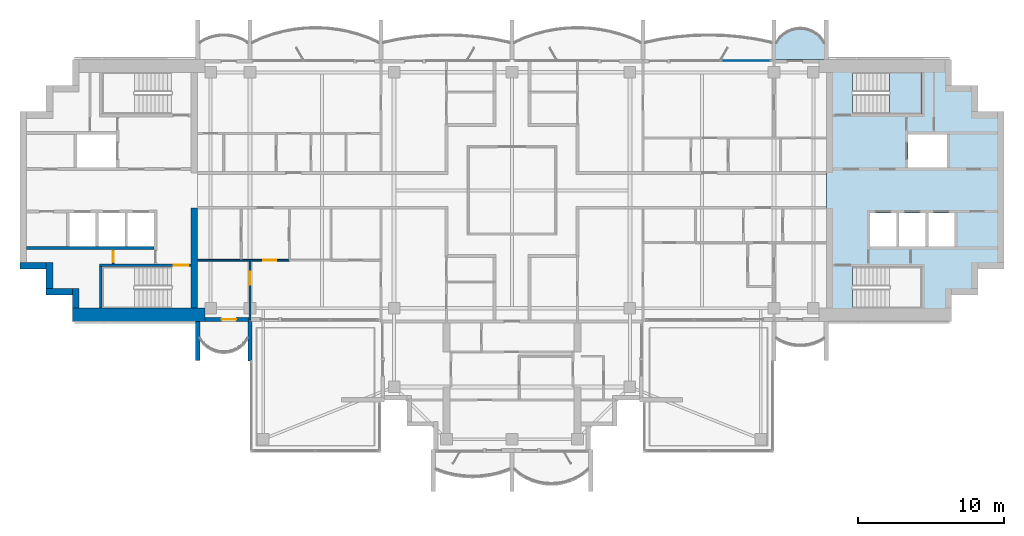
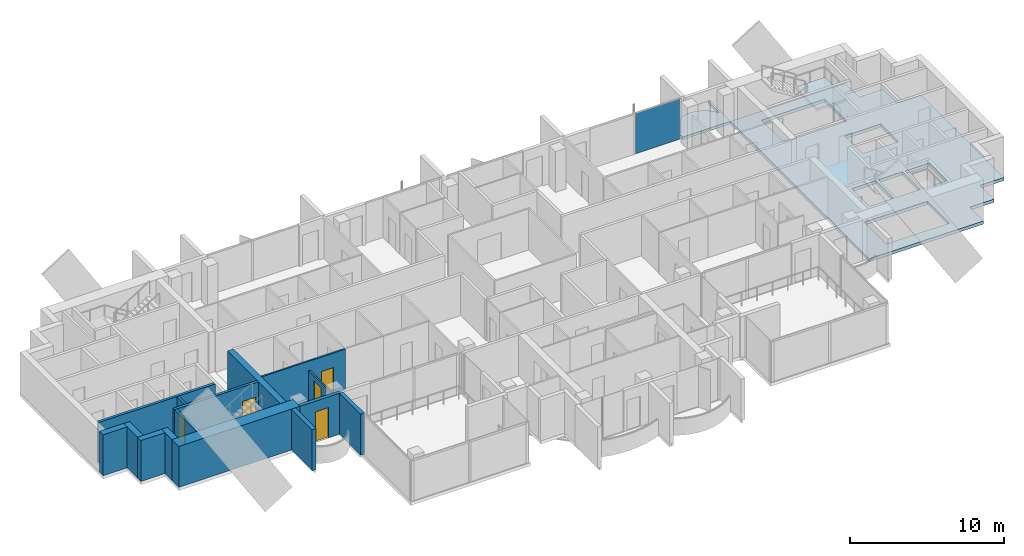
# One storey, part 6 of 16: 15 walls, 5 doors, 3 slabs, 1 plate, 5 openings, 2 elements without a shape of their own.
"""IFC4 building model written with IfcOpenShell, lengths in metres."""

from ifc_helpers import new_model, si_unit, direction, frame, frame_2d, origin, origin_2d, place, context, subcontext, project, spatial, polyline, rectangle, outline, extrude, material, layer, layer_set, type_object, element, fill, aggregate, save


model = new_model("IFC4")

# Units and contexts
model_context = context("Model", 3, precision=1e-05, world=origin(), true_north=direction((0.0, 1.0)))
body_context = subcontext(model_context, "Body", "Model", "MODEL_VIEW")
ifc_project = project(units=[si_unit("LENGTHUNIT", "METRE"), si_unit("AREAUNIT", "SQUARE_METRE"), si_unit("VOLUMEUNIT", "CUBIC_METRE"), si_unit("PLANEANGLEUNIT", "RADIAN"), si_unit("MASSUNIT", "GRAM", prefix="KILO")], contexts=[model_context])

# Site, building, storey
site_placement = place(None, origin())
site = spatial("IfcSite", under=ifc_project, at=site_placement, CompositionType="ELEMENT")
building_placement = place(site_placement, origin())
building = spatial("IfcBuilding", under=site, at=building_placement, Name="Perihelion Cross Residences", CompositionType="ELEMENT")
storey_placement = place(building_placement, frame((0.0, 0.0, 260.5)))
storey = spatial("IfcBuildingStorey", under=building, at=storey_placement, Name="L66", CompositionType="ELEMENT", Elevation=260.5)

# Slab
ifc_material_1 = material(Name="Concrete C40/50", Category="concrete")
ifc_layer_1 = layer(ifc_material_1, 0.199951171875)
ifc_layer_set_1 = layer_set([ifc_layer_1], Name="Balcony slab 200")
slab_type_1 = type_object("IfcSlabType", Name="Balcony slab 200", PredefinedType="FLOOR", material=ifc_layer_set_1)
slab_1_placement = place(storey_placement, frame((0.0, 0.0, -0.199951171875)))
element("IfcSlab", 1, at=slab_1_placement, inside=storey, type_object=slab_type_1, Name="Slab BK1 L66 east side north bay 1 balcony", PredefinedType="FLOOR", context=body_context, shape_type="SweptSolid", body=[
    extrude(outline(polyline([(21.60009765625, 9.0), (18.0, 9.0), (18.0, 11.699951171875), (18.14990234375, 11.699951171875), (18.14990234375, 10.199951171875), (18.425048828125, 10.568603515625), (18.699951171875, 10.806396484375), (18.97509765625, 10.96875), (19.25, 11.07568359375), (19.52490234375, 11.136962890625), (19.800048828125, 11.156982421875), (20.074951171875, 11.136962890625), (20.35009765625, 11.07568359375), (20.625, 10.96875), (20.89990234375, 10.806396484375), (21.175048828125, 10.568603515625), (21.449951171875, 10.199951171875), (21.449951171875, 11.699951171875), (21.60009765625, 11.699951171875), (21.60009765625, 9.0)])), origin(), (0.0, 0.0, 1.0), 0.199951171875),
])

# Curtain wall, plate
ifc_material_2 = material(Name="Bronze anodised aluminium, tinted glazing", Category="aluminium")
curtain_wall_type = type_object("IfcCurtainWallType", Name="CW1", PredefinedType="NOTDEFINED", material=ifc_material_2)
curtain_wall_placement = place(storey_placement, origin())
curtain_wall = element("IfcCurtainWall", 2, at=curtain_wall_placement, inside=storey, type_object=curtain_wall_type, Name="Curtain wall CW1 L66 east side north bay 2", PredefinedType="NOTDEFINED")
ifc_material_3 = material(Name="Tinted laminated glass", Category="glass")
ifc_layer_2 = layer(ifc_material_3, 0.028076171875)
ifc_layer_set_2 = layer_set([ifc_layer_2], Name="CW1 panel")
plate_type = type_object("IfcPlateType", Name="CW1 panel", PredefinedType="CURTAIN_PANEL", material=ifc_layer_set_2)
plate_placement = place(storey_placement, frame((16.06005859375, 8.89990234375, 0.0), z_axis=(0.0, 0.0, 1.0), x_axis=(-1.0, 0.0, 0.0)))
plate = element("IfcPlate", 3, at=plate_placement, type_object=plate_type, Name="CW1 panel 1", PredefinedType="CURTAIN_PANEL", context=body_context, shape_type="SweptSolid", body=[
    extrude(rectangle(XDim=3.360107421875, YDim=0.028076171875, at=origin_2d()), origin(), (0.0, 0.0, 1.0), 3.18994140625),
])
aggregate(curtain_wall, [plate])

# Slab
ifc_material_4 = material(Name="Concrete C40/50", Category="concrete")
ifc_layer_3 = layer(ifc_material_4, 0.25)
ifc_layer_set_3 = layer_set([ifc_layer_3], Name="Core floor slab 250")
slab_type_2 = type_object("IfcSlabType", Name="Core floor slab 250", PredefinedType="FLOOR", material=ifc_layer_set_3)
slab_2_placement = place(storey_placement, frame((0.0, 0.0, -0.25)))
element("IfcSlab", 4, at=slab_2_placement, inside=storey, type_object=slab_type_2, Name="East core floor slab", PredefinedType="FLOOR", context=body_context, shape_type="SweptSolid", body=[
    extrude(outline(polyline([(30.199951171875, 7.199951171875), (32.0, 7.199951171875), (32.0, 5.39990234375), (33.800048828125, 5.39990234375), (33.800048828125, -5.39990234375), (32.0, -5.39990234375), (32.0, -7.199951171875), (30.199951171875, -7.199951171875), (30.199951171875, -9.0), (21.60009765625, -9.0), (21.60009765625, 9.0), (30.199951171875, 9.0), (30.199951171875, 7.199951171875)]), holes=[polyline([(28.14990234375, -8.10009765625), (28.14990234375, -5.25), (23.405029296875, -5.25), (23.405029296875, -8.10009765625), (28.14990234375, -8.10009765625)]), polyline([(24.60009765625, -1.550048828125), (24.60009765625, -3.85009765625), (26.39990234375, -3.85009765625), (26.39990234375, -1.550048828125), (24.60009765625, -1.550048828125)]), polyline([(26.60009765625, -1.550048828125), (26.60009765625, -3.85009765625), (28.39990234375, -3.85009765625), (28.39990234375, -1.550048828125), (26.60009765625, -1.550048828125)]), polyline([(28.60009765625, -3.85009765625), (30.39990234375, -3.85009765625), (30.39990234375, -1.550048828125), (28.60009765625, -1.550048828125), (28.60009765625, -3.85009765625)]), polyline([(27.199951171875, 3.85009765625), (27.199951171875, 1.550048828125), (29.89990234375, 1.550048828125), (29.89990234375, 3.85009765625), (27.199951171875, 3.85009765625)]), polyline([(23.405029296875, 5.25), (28.14990234375, 5.25), (28.14990234375, 8.10009765625), (23.405029296875, 8.10009765625), (23.405029296875, 5.25)])]), origin(), (0.0, 0.0, 1.0), 0.25),
])

# Stair, slab
ifc_material_5 = material(Name="Concrete C40/50", Category="concrete")
stair_type = type_object("IfcStairType", Name="Exit stair, half-turn", PredefinedType="HALF_TURN_STAIR", material=ifc_material_5)
stair_placement = place(storey_placement, origin())
stair = element("IfcStair", 5, at=stair_placement, inside=storey, type_object=stair_type, Name="L66 East core exit stair 1", PredefinedType="HALF_TURN_STAIR")
ifc_material_6 = material(Name="Concrete C40/50", Category="concrete")
ifc_layer_4 = layer(ifc_material_6, 0.199951171875)
ifc_layer_set_4 = layer_set([ifc_layer_4], Name="Exit stair landing 200")
slab_type_3 = type_object("IfcSlabType", Name="Exit stair landing 200", PredefinedType="LANDING", material=ifc_layer_set_4)
slab_3_placement = place(storey_placement, frame((0.0, 0.0, 1.550048828125)))
slab_3 = element("IfcSlab", 6, at=slab_3_placement, type_object=slab_type_3, Name="ST-E1 landing 1", PredefinedType="LANDING", context=body_context, shape_type="SweptSolid", body=[
    extrude(outline(polyline([(25.919921875, 5.25), (28.14990234375, 5.25), (28.14990234375, 8.10009765625), (25.919921875, 8.10009765625), (25.919921875, 5.25)])), origin(), (0.0, 0.0, 1.0), 0.199951171875),
])
aggregate(stair, [slab_3])

# Wall, opening, door
ifc_material_7 = material(Name="Concrete C30/37, bronze-clad", Category="concrete")
ifc_layer_5 = layer(ifc_material_7, 0.25)
ifc_layer_set_5 = layer_set([ifc_layer_5], Name="Bronze-clad pier wall 250")
wall_type_1 = type_object("IfcWallType", Name="Bronze-clad pier wall 250", PredefinedType="SOLIDWALL", material=ifc_layer_set_5)
wall_1_placement = place(storey_placement, frame((-21.10009765625, -8.875, 0.0), z_axis=(0.0, 0.0, 1.0), x_axis=(1.0, 0.0, 0.0)))
wall_1 = element("IfcWall", 7, at=wall_1_placement, inside=storey, type_object=wall_type_1, Name="Wall FW1 L66 west side south bay 1 pier", PredefinedType="SOLIDWALL", context=body_context, shape_type="SweptSolid", body=[
    extrude(rectangle(XDim=3.0400390625, YDim=0.25, at=frame_2d((1.52001953125, 0.0))), origin(), (0.0, 0.0, 1.0), 3.25),
])
opening_1_placement = place(wall_1_placement, frame((1.14990234375, 0.0, 0.0)))
opening_1 = element("IfcOpeningElement", 8, at=opening_1_placement, cuts=wall_1, Name="Opening L66.E07", PredefinedType="OPENING", context=body_context, shape_type="SweptSolid", body=[
    extrude(rectangle(XDim=1.0, YDim=2.39990234375, at=frame_2d((0.5, 1.199951171875))), frame((0.0, 0.135009765625, 0.0), z_axis=(0.0, -1.0, 0.0), x_axis=(1.0, 0.0, 0.0)), (0.0, 0.0, 1.0), 0.27001953125),
])
ifc_material_8 = material(Name="Bronze anodised aluminium, glazed", Category="aluminium")
door_type_1 = type_object("IfcDoorType", Name="Balcony door 1000 x 2400", OperationType="NOTDEFINED", PredefinedType="DOOR", material=ifc_material_8)
door_1_placement = place(opening_1_placement, origin())
door_1 = element("IfcDoor", 9, at=door_1_placement, inside=storey, type_object=door_type_1, Name="Door L66.E07 west side south bay 1", OperationType="SINGLE_SWING_LEFT", OverallHeight=2.39990234375, OverallWidth=1.0, PredefinedType="DOOR", context=body_context, shape_type="SweptSolid", body=[
    extrude(rectangle(XDim=1.0, YDim=2.39990234375, at=frame_2d((0.5, 1.199951171875))), frame((0.0, 0.02490234375, 0.0), z_axis=(0.0, -1.0, 0.0), x_axis=(1.0, 0.0, 0.0)), (0.0, 0.0, 1.0), 0.050048828125),
])
fill(opening_1, door_1)

# Walls
ifc_material_9 = material(Name="Concrete C60/75", Category="concrete")
ifc_layer_6 = layer(ifc_material_9, 0.449951171875)
ifc_layer_set_6 = layer_set([ifc_layer_6], Name="Core wall, inner 450")
wall_type_2 = type_object("IfcWallType", Name="Core wall, inner 450", PredefinedType="SHEAR", material=ifc_layer_set_6)
wall_2_placement = place(storey_placement, frame((-21.824951171875, -8.10009765625, 0.0), z_axis=(0.0, 0.0, 1.0), x_axis=(0.0, 1.0, 0.0)))
element("IfcWall", 10, at=wall_2_placement, inside=storey, type_object=wall_type_2, Name="West core core wall, inner", PredefinedType="SHEAR", context=body_context, shape_type="SweptSolid", body=[
    extrude(rectangle(XDim=6.900146484375, YDim=0.449951171875, at=frame_2d((3.4501953125, 0.0))), origin(), (0.0, 0.0, 1.0), 3.25),
])
ifc_material_10 = material(Name="Concrete C60/75", Category="concrete")
ifc_layer_7 = layer(ifc_material_10, 0.449951171875)
ifc_layer_set_7 = layer_set([ifc_layer_7], Name="Core wall, outer 450")
wall_type_3 = type_object("IfcWallType", Name="Core wall, outer 450", PredefinedType="SHEAR", material=ifc_layer_set_7)
wall_3_placement = place(storey_placement, frame((-29.97509765625, -8.10009765625, 0.0), z_axis=(0.0, 0.0, 1.0), x_axis=(0.0, 1.0, 0.0)))
element("IfcWall", 11, at=wall_3_placement, inside=storey, type_object=wall_type_3, Name="West core core wall, outer", PredefinedType="SHEAR", context=body_context, shape_type="SweptSolid", body=[
    extrude(rectangle(XDim=1.35009765625, YDim=0.449951171875, at=frame_2d((0.675048828125, 0.0))), origin(), (0.0, 0.0, 1.0), 3.25),
])
for number, where, z_axis, x_axis, name in (
    (12, (-32.0, -6.97509765625, 0.0), (0.0, 0.0, 1.0), (1.0, 0.0, 0.0), "West core core wall, outer"),
    (13, (-31.77490234375, -6.75, 0.0), (0.0, 0.0, 1.0), (0.0, 1.0, 0.0), "West core core wall, outer"),
    (14, (-33.800048828125, -5.175048828125, 0.0), (0.0, 0.0, 1.0), (1.0, 0.0, 0.0), "West core core wall, outer"),
):
    element("IfcWall", number, at=place(storey_placement, frame(where, z_axis=z_axis, x_axis=x_axis)), inside=storey, type_object=wall_type_3, Name=name, PredefinedType="SHEAR", context=body_context, shape_type="SweptSolid", body=[
        extrude(rectangle(XDim=1.800048828125, YDim=0.449951171875, at=frame_2d((0.89990234375, 0.0))), origin(), (0.0, 0.0, 1.0), 3.25),
    ])
ifc_material_11 = material(Name="Concrete C60/75", Category="concrete")
ifc_layer_8 = layer(ifc_material_11, 0.89990234375)
ifc_layer_set_8 = layer_set([ifc_layer_8], Name="Core wall, outer 900")
wall_type_4 = type_object("IfcWallType", Name="Core wall, outer 900", PredefinedType="SHEAR", material=ifc_layer_set_8)
wall_4_placement = place(storey_placement, frame((-30.199951171875, -8.550048828125, 0.0), z_axis=(0.0, 0.0, 1.0), x_axis=(1.0, 0.0, 0.0)))
element("IfcWall", 15, at=wall_4_placement, inside=storey, type_object=wall_type_4, Name="West core core wall, outer", PredefinedType="SHEAR", context=body_context, shape_type="SweptSolid", body=[
    extrude(rectangle(XDim=9.099853515625, YDim=0.89990234375, at=frame_2d((4.5498046875, 0.0))), origin(), (0.0, 0.0, 1.0), 3.25),
])

# Wall, opening, door
ifc_material_12 = material(Name="Plasterboard partition")
ifc_layer_9 = layer(ifc_material_12, 0.1201171875)
ifc_layer_set_9 = layer_set([ifc_layer_9], Name="Partition wall 120")
wall_type_5 = type_object("IfcWallType", Name="Partition wall 120", PredefinedType="PARTITIONING", material=ifc_layer_set_9)
wall_5_placement = place(storey_placement, frame((-15.300048828125, -4.800048828125, 0.0), z_axis=(0.0, 0.0, 1.0), x_axis=(-1.0, 0.0, 0.0)))
wall_5 = element("IfcWall", 16, at=wall_5_placement, inside=storey, type_object=wall_type_5, Name="Partition L66 W060", PredefinedType="PARTITIONING", context=body_context, shape_type="SweptSolid", body=[
    extrude(rectangle(XDim=6.300048828125, YDim=0.1201171875, at=frame_2d((3.14990234375, 0.0))), origin(), (0.0, 0.0, 1.0), 3.25),
])
opening_2_placement = place(wall_5_placement, frame((0.89990234375, 0.0, 0.0)))
opening_2 = element("IfcOpeningElement", 17, at=opening_2_placement, cuts=wall_5, Name="Opening L66.A29", PredefinedType="OPENING", context=body_context, shape_type="SweptSolid", body=[
    extrude(rectangle(XDim=0.89990234375, YDim=2.10009765625, at=frame_2d((0.449951171875, 1.050048828125))), frame((0.0, 0.070068359375, 0.0), z_axis=(0.0, -1.0, 0.0), x_axis=(1.0, 0.0, 0.0)), (0.0, 0.0, 1.0), 0.14013671875),
])
ifc_material_13 = material(Name="Timber door leaf", Category="wood")
door_type_2 = type_object("IfcDoorType", Name="Interior room door 900 x 2100", OperationType="SINGLE_SWING_LEFT", PredefinedType="DOOR", material=ifc_material_13)
door_2_placement = place(opening_2_placement, origin())
door_2 = element("IfcDoor", 18, at=door_2_placement, inside=storey, type_object=door_type_2, Name="Door L66.A29", OperationType="SINGLE_SWING_LEFT", OverallHeight=2.10009765625, OverallWidth=0.89990234375, PredefinedType="DOOR", context=body_context, shape_type="SweptSolid", body=[
    extrude(rectangle(XDim=0.89990234375, YDim=2.10009765625, at=frame_2d((0.449951171875, 1.050048828125))), frame((0.0, 0.02490234375, 0.0), z_axis=(0.0, -1.0, 0.0), x_axis=(1.0, 0.0, 0.0)), (0.0, 0.0, 1.0), 0.050048828125),
])
fill(opening_2, door_2)

wall_6_placement = place(storey_placement, frame((-18.0, -8.919921875, 0.0), z_axis=(0.0, 0.0, 1.0), x_axis=(0.0, 1.0, 0.0)))
wall_6 = element("IfcWall", 19, at=wall_6_placement, inside=storey, type_object=wall_type_5, Name="Partition L66 W061", PredefinedType="PARTITIONING", context=body_context, shape_type="SweptSolid", body=[
    extrude(rectangle(XDim=4.059814453125, YDim=0.1201171875, at=frame_2d((2.02978515625, 0.0))), origin(), (0.0, 0.0, 1.0), 2.49609375),
])
opening_3_placement = place(wall_6_placement, frame((2.43994140625, 0.0, 0.0)))
opening_3 = element("IfcOpeningElement", 20, at=opening_3_placement, cuts=wall_6, Name="Opening L66.A27", PredefinedType="OPENING", context=body_context, shape_type="SweptSolid", body=[
    extrude(rectangle(XDim=0.89990234375, YDim=2.10009765625, at=frame_2d((0.449951171875, 1.050048828125))), frame((0.0, 0.070068359375, 0.0), z_axis=(0.0, -1.0, 0.0), x_axis=(1.0, 0.0, 0.0)), (0.0, 0.0, 1.0), 0.14013671875),
])
door_3_placement = place(opening_3_placement, origin())
door_3 = element("IfcDoor", 21, at=door_3_placement, inside=storey, type_object=door_type_2, Name="Door L66.A27", OperationType="SINGLE_SWING_RIGHT", OverallHeight=2.10009765625, OverallWidth=0.89990234375, PredefinedType="DOOR", context=body_context, shape_type="SweptSolid", body=[
    extrude(rectangle(XDim=0.89990234375, YDim=2.10009765625, at=frame_2d((0.449951171875, 1.050048828125))), frame((0.0, 0.02490234375, 0.0), z_axis=(0.0, -1.0, 0.0), x_axis=(1.0, 0.0, 0.0)), (0.0, 0.0, 1.0), 0.050048828125),
])
fill(opening_3, door_3)

# Walls
ifc_material_14 = material(Name="Precast concrete C50/60", Category="concrete")
ifc_layer_10 = layer(ifc_material_14, 0.300048828125)
ifc_layer_set_10 = layer_set([ifc_layer_10], Name="Precast concrete C50/60 blade wall 300")
wall_type_6 = type_object("IfcWallType", Name="Precast concrete C50/60 blade wall 300", PredefinedType="SOLIDWALL", material=ifc_layer_set_10)
wall_7_placement = place(storey_placement, frame((-21.60009765625, -9.0, 0.0), z_axis=(0.0, 0.0, 1.0), x_axis=(0.0, -1.0, 0.0)))
element("IfcWall", 22, at=wall_7_placement, inside=storey, type_object=wall_type_6, Name="Wall BL1 L66 no. 3", PredefinedType="SOLIDWALL", context=body_context, shape_type="SweptSolid", body=[
    extrude(rectangle(XDim=2.699951171875, YDim=0.300048828125, at=frame_2d((1.35009765625, 0.0))), origin(), (0.0, 0.0, 1.0), 3.25),
])
wall_8_placement = place(storey_placement, frame((-18.0, -9.0, 0.0), z_axis=(0.0, 0.0, 1.0), x_axis=(0.0, -1.0, 0.0)))
element("IfcWall", 23, at=wall_8_placement, inside=storey, type_object=wall_type_6, Name="Wall BL1 L66 no. 1", PredefinedType="SOLIDWALL", context=body_context, shape_type="SweptSolid", body=[
    extrude(rectangle(XDim=2.739990234375, YDim=0.300048828125, at=frame_2d((1.3701171875, 0.0))), origin(), (0.0, 0.0, 1.0), 3.25),
])

# Wall, opening, door
ifc_material_15 = material(Name="Fire-rated board on steel stud", Category="steel")
ifc_layer_11 = layer(ifc_material_15, 0.14990234375)
ifc_layer_set_11 = layer_set([ifc_layer_11], Name="Riser wall 150")
wall_type_7 = type_object("IfcWallType", Name="Riser wall 150", PredefinedType="PARTITIONING", material=ifc_layer_set_11)
wall_9_placement = place(storey_placement, frame((-27.39990234375, -5.050048828125, 0.0), z_axis=(0.0, 0.0, 1.0), x_axis=(0.0, 1.0, 0.0)))
wall_9 = element("IfcWall", 24, at=wall_9_placement, inside=storey, type_object=wall_type_7, Name="West core riser wall", PredefinedType="PARTITIONING", context=body_context, shape_type="SweptSolid", body=[
    extrude(rectangle(XDim=1.0, YDim=0.14990234375, at=frame_2d((0.5, 0.0))), origin(), (0.0, 0.0, 1.0), 3.25),
])
opening_4_placement = place(wall_9_placement, frame((0.10009765625, 0.0, 0.0)))
opening_4 = element("IfcOpeningElement", 25, at=opening_4_placement, cuts=wall_9, Name="Opening L66.C25", PredefinedType="OPENING", context=body_context, shape_type="SweptSolid", body=[
    extrude(rectangle(XDim=0.800048828125, YDim=2.10009765625, at=frame_2d((0.39990234375, 1.050048828125))), frame((0.0, 0.0849609375, 0.0), z_axis=(0.0, -1.0, 0.0), x_axis=(1.0, 0.0, 0.0)), (0.0, 0.0, 1.0), 0.169921875),
])
ifc_material_16 = material(Name="Steel, powder coated", Category="steel")
door_type_3 = type_object("IfcDoorType", Name="Riser door 800", OperationType="SINGLE_SWING_LEFT", PredefinedType="DOOR", material=ifc_material_16)
door_4_placement = place(opening_4_placement, origin())
door_4 = element("IfcDoor", 26, at=door_4_placement, inside=storey, type_object=door_type_3, Name="West core riser door", OperationType="SINGLE_SWING_LEFT", OverallHeight=2.10009765625, OverallWidth=0.800048828125, PredefinedType="DOOR", context=body_context, shape_type="SweptSolid", body=[
    extrude(rectangle(XDim=0.800048828125, YDim=2.10009765625, at=frame_2d((0.39990234375, 1.050048828125))), frame((0.0, 0.02490234375, 0.0), z_axis=(0.0, -1.0, 0.0), x_axis=(1.0, 0.0, 0.0)), (0.0, 0.0, 1.0), 0.050048828125),
])
fill(opening_4, door_4)

# Wall
ifc_material_17 = material(Name="Concrete C50/60", Category="concrete")
ifc_layer_12 = layer(ifc_material_17, 0.199951171875)
ifc_layer_set_12 = layer_set([ifc_layer_12], Name="Shaft wall 200")
wall_type_8 = type_object("IfcWallType", Name="Shaft wall 200", PredefinedType="SOLIDWALL", material=ifc_layer_set_12)
wall_10_placement = place(storey_placement, frame((-33.35009765625, -3.949951171875, 0.0), z_axis=(0.0, 0.0, 1.0), x_axis=(1.0, 0.0, 0.0)))
element("IfcWall", 27, at=wall_10_placement, inside=storey, type_object=wall_type_8, Name="West core shaft wall", PredefinedType="SOLIDWALL", context=body_context, shape_type="SweptSolid", body=[
    extrude(rectangle(XDim=8.75, YDim=0.199951171875, at=frame_2d((4.375, 0.0))), origin(), (0.0, 0.0, 1.0), 3.25),
])

# Wall, opening, door
ifc_material_18 = material(Name="Concrete C50/60", Category="concrete")
ifc_layer_13 = layer(ifc_material_18, 0.199951171875)
ifc_layer_set_13 = layer_set([ifc_layer_13], Name="Stair wall 200")
wall_type_9 = type_object("IfcWallType", Name="Stair wall 200", PredefinedType="SOLIDWALL", material=ifc_layer_set_13)
wall_11_placement = place(storey_placement, frame((-28.35009765625, -5.14990234375, 0.0), z_axis=(0.0, 0.0, 1.0), x_axis=(1.0, 0.0, 0.0)))
wall_11 = element("IfcWall", 28, at=wall_11_placement, inside=storey, type_object=wall_type_9, Name="West core stair wall", PredefinedType="SOLIDWALL", context=body_context, shape_type="SweptSolid", body=[
    extrude(rectangle(XDim=6.300048828125, YDim=0.199951171875, at=frame_2d((3.14990234375, 0.0))), origin(), (0.0, 0.0, 1.0), 3.25),
])
opening_5_placement = place(wall_11_placement, frame((5.10009765625, 0.0, 0.0)))
opening_5 = element("IfcOpeningElement", 29, at=opening_5_placement, cuts=wall_11, Name="Opening L66.C19", PredefinedType="OPENING", context=body_context, shape_type="SweptSolid", body=[
    extrude(rectangle(XDim=1.0, YDim=2.10009765625, at=frame_2d((0.5, 1.050048828125))), frame((0.0, 0.10986328125, 0.0), z_axis=(0.0, -1.0, 0.0), x_axis=(1.0, 0.0, 0.0)), (0.0, 0.0, 1.0), 0.219970703125),
])
ifc_material_19 = material(Name="Steel, powder coated", Category="steel")
door_type_4 = type_object("IfcDoorType", Name="Stair door 1000", OperationType="SINGLE_SWING_LEFT", PredefinedType="DOOR", material=ifc_material_19)
door_5_placement = place(opening_5_placement, origin())
door_5 = element("IfcDoor", 30, at=door_5_placement, inside=storey, type_object=door_type_4, Name="West core stair door", OperationType="SINGLE_SWING_LEFT", OverallHeight=2.10009765625, OverallWidth=1.0, PredefinedType="DOOR", context=body_context, shape_type="SweptSolid", body=[
    extrude(rectangle(XDim=1.0, YDim=2.10009765625, at=frame_2d((0.5, 1.050048828125))), frame((0.0, 0.02490234375, 0.0), z_axis=(0.0, -1.0, 0.0), x_axis=(1.0, 0.0, 0.0)), (0.0, 0.0, 1.0), 0.050048828125),
])
fill(opening_5, door_5)

# Wall
wall_12_placement = place(storey_placement, frame((-28.25, -8.10009765625, 0.0), z_axis=(0.0, 0.0, 1.0), x_axis=(0.0, 1.0, 0.0)))
element("IfcWall", 31, at=wall_12_placement, inside=storey, type_object=wall_type_9, Name="West core stair wall", PredefinedType="SOLIDWALL", context=body_context, shape_type="SweptSolid", body=[
    extrude(rectangle(XDim=2.85009765625, YDim=0.199951171875, at=frame_2d((1.425048828125, 0.0))), origin(), (0.0, 0.0, 1.0), 3.25),
])

save(model, "model.ifc")
